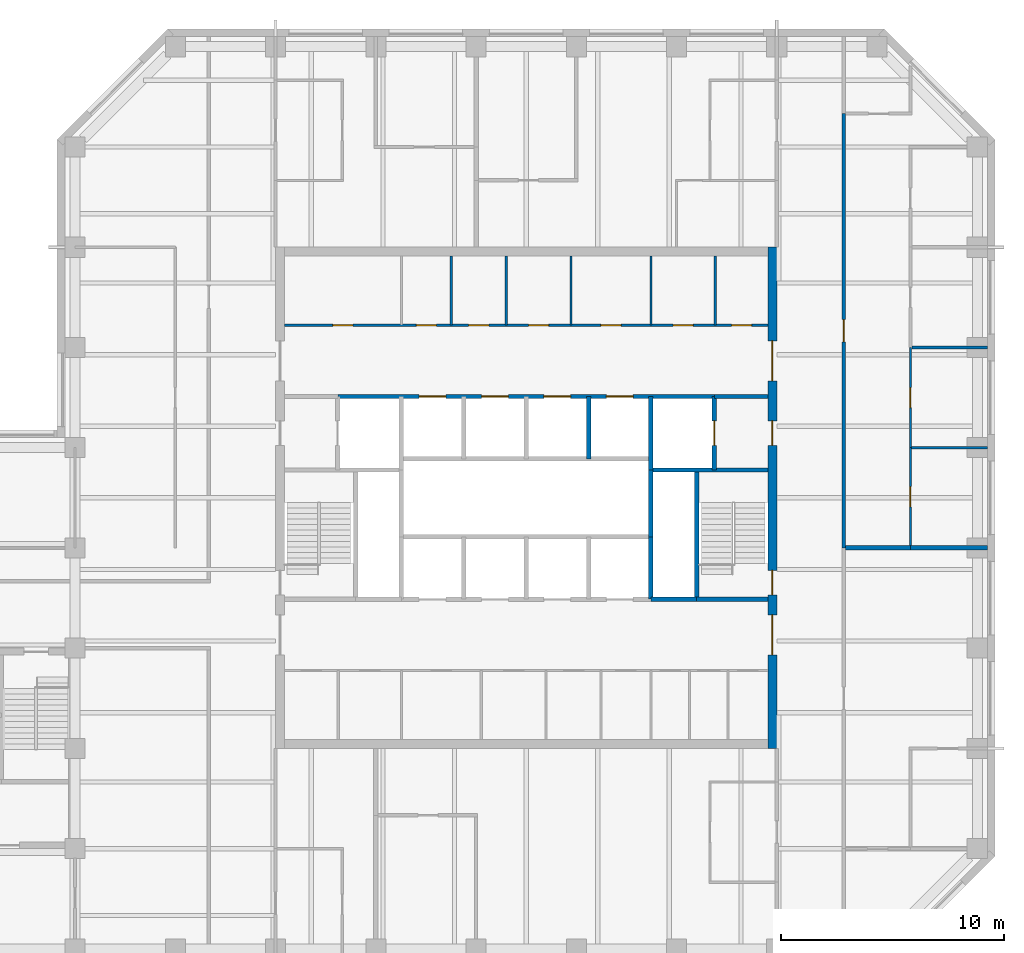
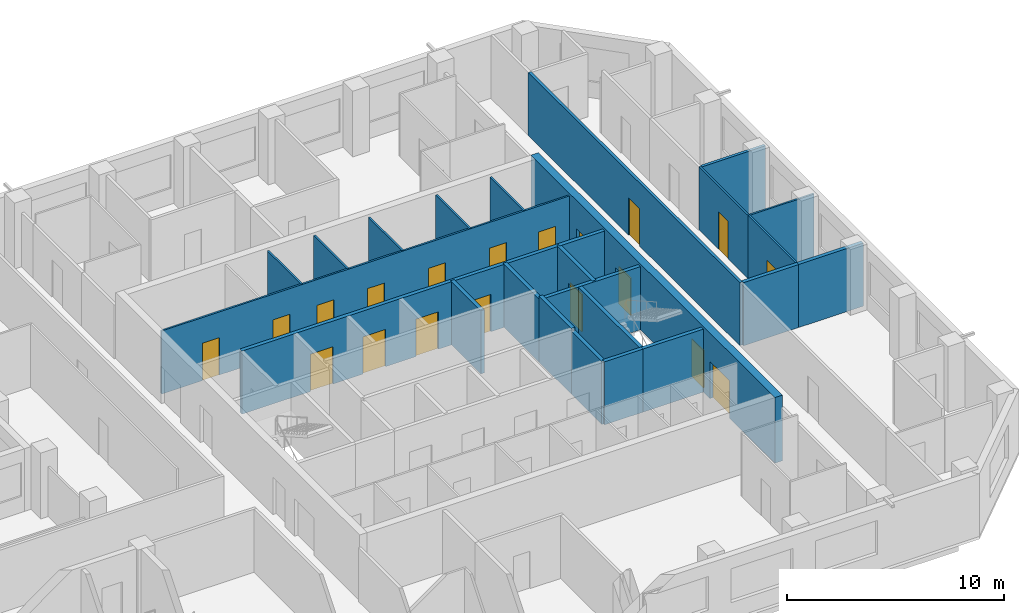
# One storey, part 6 of 9: 25 walls, 19 doors, 19 openings.
"""IFC4 building model written with IfcOpenShell, lengths in metres."""

from ifc_helpers import new_model, si_unit, direction, frame, frame_2d, origin, place, context, subcontext, project, spatial, rectangle, extrude, material, layer, layer_set, type_object, element, fill, save


model = new_model("IFC4")

# Units and contexts
model_context = context("Model", 3, precision=1e-05, world=origin(), true_north=direction((0.0, 1.0)))
body_context = subcontext(model_context, "Body", "Model", "MODEL_VIEW")
ifc_project = project(units=[si_unit("LENGTHUNIT", "METRE"), si_unit("AREAUNIT", "SQUARE_METRE"), si_unit("VOLUMEUNIT", "CUBIC_METRE"), si_unit("PLANEANGLEUNIT", "RADIAN"), si_unit("MASSUNIT", "GRAM", prefix="KILO")], contexts=[model_context])

# Site, building, storey
site_placement = place(None, origin())
site = spatial("IfcSite", under=ifc_project, at=site_placement, CompositionType="ELEMENT")
building_placement = place(site_placement, origin())
building = spatial("IfcBuilding", under=site, at=building_placement, Name="Quoin Convention Tower", CompositionType="ELEMENT")
storey_placement = place(building_placement, frame((0.0, 0.0, 230.39990234375)))
storey = spatial("IfcBuildingStorey", under=building, at=storey_placement, Name="L60", CompositionType="ELEMENT", Elevation=230.39990234375)

# Wall
ifc_material_1 = material(Name="Plasterboard")
ifc_layer_1 = layer(ifc_material_1, 0.012451171875, Name="Finish")
ifc_material_2 = material(Name="Steel stud framing", Category="steel")
ifc_layer_2 = layer(ifc_material_2, 0.125, Name="Structure")
ifc_layer_3 = layer(ifc_material_1, 0.012451171875, Name="Finish")
ifc_layer_set_1 = layer_set([ifc_layer_1, ifc_layer_2, ifc_layer_3], Name="Steel stud framing")
wall_type_1 = type_object("IfcWallType", Name="Acoustic partition 150", PredefinedType="PARTITIONING", material=ifc_layer_set_1)
wall_1_placement = place(storey_placement, frame((73.574951171875, 67.5, 0.0), z_axis=(0.0, 0.0, 1.0), x_axis=(1.0, 0.0, 0.0)))
element("IfcWall", 1, at=wall_1_placement, inside=storey, type_object=wall_type_1, Name="pw-L60-022", PredefinedType="PARTITIONING", context=body_context, shape_type="SweptSolid", body=[
    extrude(rectangle(XDim=3.375, YDim=0.14990234375, at=frame_2d((1.6875, 0.0))), origin(), (0.0, 0.0, 1.0), 3.550048828125),
])

# Wall, openings, doors
ifc_layer_4 = layer(ifc_material_1, 0.012451171875, Name="Finish")
ifc_layer_5 = layer(ifc_material_2, 0.074951171875, Name="Structure")
ifc_layer_6 = layer(ifc_material_1, 0.012451171875, Name="Finish")
ifc_layer_set_2 = layer_set([ifc_layer_4, ifc_layer_5, ifc_layer_6], Name="Steel stud framing")
wall_type_2 = type_object("IfcWallType", Name="Core partition wall", PredefinedType="PARTITIONING", material=ifc_layer_set_2)
wall_2_placement = place(storey_placement, frame((45.39990234375, 68.5, 0.0), z_axis=(0.0, 0.0, 1.0), x_axis=(1.0, 0.0, 0.0)))
wall_2 = element("IfcWall", 2, at=wall_2_placement, inside=storey, type_object=wall_type_2, Name="cr-C1-L60-h19000_400", PredefinedType="PARTITIONING", context=body_context, shape_type="SweptSolid", body=[
    extrude(rectangle(XDim=21.7001953125, YDim=0.10009765625, at=frame_2d((10.85009765625, 0.0))), origin(), (0.0, 0.0, 1.0), 3.550048828125),
])
opening_1_placement = place(wall_2_placement, frame((20.06884765625, 0.0, 0.0)))
opening_1 = element("IfcOpeningElement", 3, at=opening_1_placement, cuts=wall_2, Name="Opening DCV2-13", PredefinedType="OPENING", context=body_context, shape_type="SweptSolid", body=[
    extrude(rectangle(XDim=0.89990234375, YDim=2.10009765625, at=frame_2d((0.449951171875, 1.050048828125))), frame((0.0, 0.06005859375, 0.0), z_axis=(0.0, -1.0, 0.0), x_axis=(1.0, 0.0, 0.0)), (0.0, 0.0, 1.0), 0.1201171875),
])
opening_2_placement = place(wall_2_placement, frame((17.44384765625, 0.0, 0.0)))
opening_2 = element("IfcOpeningElement", 4, at=opening_2_placement, cuts=wall_2, Name="Opening DCV2-12", PredefinedType="OPENING", context=body_context, shape_type="SweptSolid", body=[
    extrude(rectangle(XDim=0.89990234375, YDim=2.10009765625, at=frame_2d((0.449951171875, 1.050048828125))), frame((0.0, 0.06005859375, 0.0), z_axis=(0.0, -1.0, 0.0), x_axis=(1.0, 0.0, 0.0)), (0.0, 0.0, 1.0), 0.1201171875),
])
opening_3_placement = place(wall_2_placement, frame((2.175048828125, 0.0, 0.0)))
opening_3 = element("IfcOpeningElement", 5, at=opening_3_placement, cuts=wall_2, Name="Opening DCV2-05", PredefinedType="OPENING", context=body_context, shape_type="SweptSolid", body=[
    extrude(rectangle(XDim=0.89990234375, YDim=2.10009765625, at=frame_2d((0.449951171875, 1.050048828125))), frame((0.0, 0.06005859375, 0.0), z_axis=(0.0, -1.0, 0.0), x_axis=(1.0, 0.0, 0.0)), (0.0, 0.0, 1.0), 0.1201171875),
])
opening_4_placement = place(wall_2_placement, frame((14.2080078125, 0.0, 0.0)))
opening_4 = element("IfcOpeningElement", 6, at=opening_4_placement, cuts=wall_2, Name="Opening DCV2-11", PredefinedType="OPENING", context=body_context, shape_type="SweptSolid", body=[
    extrude(rectangle(XDim=0.89990234375, YDim=2.10009765625, at=frame_2d((0.449951171875, 1.050048828125))), frame((0.0, 0.06005859375, 0.0), z_axis=(0.0, -1.0, 0.0), x_axis=(1.0, 0.0, 0.0)), (0.0, 0.0, 1.0), 0.1201171875),
])
opening_5_placement = place(wall_2_placement, frame((10.9599609375, 0.0, 0.0)))
opening_5 = element("IfcOpeningElement", 7, at=opening_5_placement, cuts=wall_2, Name="Opening DCV2-09", PredefinedType="OPENING", context=body_context, shape_type="SweptSolid", body=[
    extrude(rectangle(XDim=0.89990234375, YDim=2.10009765625, at=frame_2d((0.449951171875, 1.050048828125))), frame((0.0, 0.06005859375, 0.0), z_axis=(0.0, -1.0, 0.0), x_axis=(1.0, 0.0, 0.0)), (0.0, 0.0, 1.0), 0.1201171875),
])
opening_6_placement = place(wall_2_placement, frame((8.27197265625, 0.0, 0.0)))
opening_6 = element("IfcOpeningElement", 8, at=opening_6_placement, cuts=wall_2, Name="Opening DCV2-08", PredefinedType="OPENING", context=body_context, shape_type="SweptSolid", body=[
    extrude(rectangle(XDim=0.89990234375, YDim=2.10009765625, at=frame_2d((0.449951171875, 1.050048828125))), frame((0.0, 0.06005859375, 0.0), z_axis=(0.0, -1.0, 0.0), x_axis=(1.0, 0.0, 0.0)), (0.0, 0.0, 1.0), 0.1201171875),
])
opening_7_placement = place(wall_2_placement, frame((5.919921875, 0.0, 0.0)))
opening_7 = element("IfcOpeningElement", 9, at=opening_7_placement, cuts=wall_2, Name="Opening DCV2-06", PredefinedType="OPENING", context=body_context, shape_type="SweptSolid", body=[
    extrude(rectangle(XDim=0.89990234375, YDim=2.10009765625, at=frame_2d((0.449951171875, 1.050048828125))), frame((0.0, 0.06005859375, 0.0), z_axis=(0.0, -1.0, 0.0), x_axis=(1.0, 0.0, 0.0)), (0.0, 0.0, 1.0), 0.1201171875),
])
ifc_material_3 = material(Name="Steel door leaf", Category="steel")
door_type_1 = type_object("IfcDoorType", Name="Core room door 900 x 2100", OperationType="SINGLE_SWING_LEFT", PredefinedType="DOOR", material=ifc_material_3)
door_1_placement = place(opening_1_placement, origin())
door_1 = element("IfcDoor", 10, at=door_1_placement, inside=storey, type_object=door_type_1, Name="cd-C1-L60-CNE0-lobB-CD6007", OperationType="SINGLE_SWING_RIGHT", OverallHeight=2.10009765625, OverallWidth=0.89990234375, PredefinedType="DOOR", context=body_context, shape_type="SweptSolid", body=[
    extrude(rectangle(XDim=0.89990234375, YDim=2.10009765625, at=frame_2d((0.449951171875, 1.050048828125))), frame((0.0, 0.02490234375, 0.0), z_axis=(0.0, -1.0, 0.0), x_axis=(1.0, 0.0, 0.0)), (0.0, 0.0, 1.0), 0.050048828125),
])
fill(opening_1, door_1)
door_2_placement = place(opening_2_placement, origin())
door_2 = element("IfcDoor", 11, at=door_2_placement, inside=storey, type_object=door_type_1, Name="cd-C1-L60-CNE1-lobB-CD6008", OperationType="SINGLE_SWING_RIGHT", OverallHeight=2.10009765625, OverallWidth=0.89990234375, PredefinedType="DOOR", context=body_context, shape_type="SweptSolid", body=[
    extrude(rectangle(XDim=0.89990234375, YDim=2.10009765625, at=frame_2d((0.449951171875, 1.050048828125))), frame((0.0, 0.02490234375, 0.0), z_axis=(0.0, -1.0, 0.0), x_axis=(1.0, 0.0, 0.0)), (0.0, 0.0, 1.0), 0.050048828125),
])
fill(opening_2, door_2)
door_3_placement = place(opening_3_placement, origin())
door_3 = element("IfcDoor", 12, at=door_3_placement, inside=storey, type_object=door_type_1, Name="cd-C1-L60-CNW0-lobB-CD6009", OperationType="SINGLE_SWING_RIGHT", OverallHeight=2.10009765625, OverallWidth=0.89990234375, PredefinedType="DOOR", context=body_context, shape_type="SweptSolid", body=[
    extrude(rectangle(XDim=0.89990234375, YDim=2.10009765625, at=frame_2d((0.449951171875, 1.050048828125))), frame((0.0, 0.02490234375, 0.0), z_axis=(0.0, -1.0, 0.0), x_axis=(1.0, 0.0, 0.0)), (0.0, 0.0, 1.0), 0.050048828125),
])
fill(opening_3, door_3)
door_4_placement = place(opening_4_placement, origin())
door_4 = element("IfcDoor", 13, at=door_4_placement, inside=storey, type_object=door_type_1, Name="cd-C1-L60-F40-lobB-CD6019", OperationType="SINGLE_SWING_RIGHT", OverallHeight=2.10009765625, OverallWidth=0.89990234375, PredefinedType="DOOR", context=body_context, shape_type="SweptSolid", body=[
    extrude(rectangle(XDim=0.89990234375, YDim=2.10009765625, at=frame_2d((0.449951171875, 1.050048828125))), frame((0.0, 0.02490234375, 0.0), z_axis=(0.0, -1.0, 0.0), x_axis=(1.0, 0.0, 0.0)), (0.0, 0.0, 1.0), 0.050048828125),
])
fill(opening_4, door_4)
door_5_placement = place(opening_5_placement, origin())
door_5 = element("IfcDoor", 14, at=door_5_placement, inside=storey, type_object=door_type_1, Name="cd-C1-L60-F41-lobB-CD6020", OperationType="SINGLE_SWING_RIGHT", OverallHeight=2.10009765625, OverallWidth=0.89990234375, PredefinedType="DOOR", context=body_context, shape_type="SweptSolid", body=[
    extrude(rectangle(XDim=0.89990234375, YDim=2.10009765625, at=frame_2d((0.449951171875, 1.050048828125))), frame((0.0, 0.02490234375, 0.0), z_axis=(0.0, -1.0, 0.0), x_axis=(1.0, 0.0, 0.0)), (0.0, 0.0, 1.0), 0.050048828125),
])
fill(opening_5, door_5)
door_6_placement = place(opening_6_placement, origin())
door_6 = element("IfcDoor", 15, at=door_6_placement, inside=storey, type_object=door_type_1, Name="cd-C1-L60-F42-lobB-CD6021", OperationType="SINGLE_SWING_RIGHT", OverallHeight=2.10009765625, OverallWidth=0.89990234375, PredefinedType="DOOR", context=body_context, shape_type="SweptSolid", body=[
    extrude(rectangle(XDim=0.89990234375, YDim=2.10009765625, at=frame_2d((0.449951171875, 1.050048828125))), frame((0.0, 0.02490234375, 0.0), z_axis=(0.0, -1.0, 0.0), x_axis=(1.0, 0.0, 0.0)), (0.0, 0.0, 1.0), 0.050048828125),
])
fill(opening_6, door_6)
door_7_placement = place(opening_7_placement, origin())
door_7 = element("IfcDoor", 16, at=door_7_placement, inside=storey, type_object=door_type_1, Name="cd-C1-L60-F43-lobB-CD6022", OperationType="SINGLE_SWING_RIGHT", OverallHeight=2.10009765625, OverallWidth=0.89990234375, PredefinedType="DOOR", context=body_context, shape_type="SweptSolid", body=[
    extrude(rectangle(XDim=0.89990234375, YDim=2.10009765625, at=frame_2d((0.449951171875, 1.050048828125))), frame((0.0, 0.02490234375, 0.0), z_axis=(0.0, -1.0, 0.0), x_axis=(1.0, 0.0, 0.0)), (0.0, 0.0, 1.0), 0.050048828125),
])
fill(opening_7, door_7)

# Walls
for number, where, z_axis, x_axis, name in (
    (17, (52.889892578125, 68.5, 0.0), (0.0, 0.0, 1.0), (0.0, 1.0, 0.0), "cr-C1-L60-v7890_19000"),
    (18, (55.35400390625, 68.5, 0.0), (0.0, 0.0, 1.0), (0.0, 1.0, 0.0), "cr-C1-L60-v10354_19000"),
    (19, (58.26611328125, 68.5, 0.0), (0.0, 0.0, 1.0), (0.0, 1.0, 0.0), "cr-C1-L60-v13266_19000"),
    (20, (61.85009765625, 68.5, 0.0), (0.0, 0.0, 1.0), (0.0, 1.0, 0.0), "cr-C1-L60-v16850_19000"),
    (21, (64.737548828125, 68.5, 0.0), (0.0, 0.0, 1.0), (0.0, 1.0, 0.0), "cr-C1-L60-v19738_19000"),
):
    element("IfcWall", number, at=place(storey_placement, frame(where, z_axis=z_axis, x_axis=x_axis)), inside=storey, type_object=wall_type_2, Name=name, PredefinedType="PARTITIONING", context=body_context, shape_type="SweptSolid", body=[
        extrude(rectangle(XDim=3.10009765625, YDim=0.10009765625, at=frame_2d((1.550048828125, 0.0))), origin(), (0.0, 0.0, 1.0), 3.550048828125),
    ])
ifc_material_4 = material(Name="Concrete C50", Category="concrete")
ifc_layer_7 = layer(ifc_material_4, 0.199951171875)
ifc_layer_set_3 = layer_set([ifc_layer_7], Name="Concrete C50")
wall_type_3 = type_object("IfcWallType", Name="Core shaft wall", PredefinedType="SOLIDWALL", material=ifc_layer_set_3)
wall_3_placement = place(storey_placement, frame((61.85009765625, 56.199951171875, 0.0), z_axis=(0.0, 0.0, 1.0), x_axis=(1.0, 0.0, 0.0)))
element("IfcWall", 22, at=wall_3_placement, inside=storey, type_object=wall_type_3, Name="cr-C1-L60-h6700_16850", PredefinedType="SOLIDWALL", context=body_context, shape_type="SweptSolid", body=[
    extrude(rectangle(XDim=2.0498046875, YDim=0.199951171875, at=frame_2d((1.02490234375, 0.0))), origin(), (0.0, 0.0, 1.0), 3.550048828125),
])
wall_4_placement = place(storey_placement, frame((63.89990234375, 56.199951171875, 0.0), z_axis=(0.0, 0.0, 1.0), x_axis=(1.0, 0.0, 0.0)))
element("IfcWall", 23, at=wall_4_placement, inside=storey, type_object=wall_type_3, Name="cr-C1-L60-h6700_18900", PredefinedType="SOLIDWALL", context=body_context, shape_type="SweptSolid", body=[
    extrude(rectangle(XDim=3.2001953125, YDim=0.199951171875, at=frame_2d((1.60009765625, 0.0))), origin(), (0.0, 0.0, 1.0), 3.550048828125),
])
wall_5_placement = place(storey_placement, frame((61.85009765625, 62.0, 0.0), z_axis=(0.0, 0.0, 1.0), x_axis=(1.0, 0.0, 0.0)))
element("IfcWall", 24, at=wall_5_placement, inside=storey, type_object=wall_type_3, Name="cr-C1-L60-h12500_16850", PredefinedType="SOLIDWALL", context=body_context, shape_type="SweptSolid", body=[
    extrude(rectangle(XDim=5.25, YDim=0.199951171875, at=frame_2d((2.625, 0.0))), origin(), (0.0, 0.0, 1.0), 3.550048828125),
])
wall_6_placement = place(storey_placement, frame((64.699951171875, 65.300048828125, 0.0), z_axis=(0.0, 0.0, 1.0), x_axis=(1.0, 0.0, 0.0)))
element("IfcWall", 25, at=wall_6_placement, inside=storey, type_object=wall_type_3, Name="cr-C1-L60-h15800_19700", PredefinedType="SOLIDWALL", context=body_context, shape_type="SweptSolid", body=[
    extrude(rectangle(XDim=2.400146484375, YDim=0.199951171875, at=frame_2d((1.2001953125, 0.0))), origin(), (0.0, 0.0, 1.0), 3.550048828125),
])

# Wall, openings, doors
wall_7_placement = place(storey_placement, frame((47.800048828125, 65.300048828125, 0.0), z_axis=(0.0, 0.0, 1.0), x_axis=(1.0, 0.0, 0.0)))
wall_7 = element("IfcWall", 26, at=wall_7_placement, inside=storey, type_object=wall_type_3, Name="cr-C1-L60-h15800_2800", PredefinedType="SOLIDWALL", context=body_context, shape_type="SweptSolid", body=[
    extrude(rectangle(XDim=16.89990234375, YDim=0.199951171875, at=frame_2d((8.449951171875, 0.0))), origin(), (0.0, 0.0, 1.0), 3.550048828125),
])
opening_8_placement = place(wall_7_placement, frame((3.64990234375, 0.0, 0.0)))
opening_8 = element("IfcOpeningElement", 27, at=opening_8_placement, cuts=wall_7, Name="Opening LDH5", PredefinedType="OPENING", context=body_context, shape_type="SweptSolid", body=[
    extrude(rectangle(XDim=1.199951171875, YDim=2.10009765625, at=frame_2d((0.60009765625, 1.050048828125))), frame((0.0, 0.10986328125, 0.0), z_axis=(0.0, -1.0, 0.0), x_axis=(1.0, 0.0, 0.0)), (0.0, 0.0, 1.0), 0.219970703125),
])
opening_9_placement = place(wall_7_placement, frame((6.449951171875, 0.0, 0.0)))
opening_9 = element("IfcOpeningElement", 28, at=opening_9_placement, cuts=wall_7, Name="Opening LDH6", PredefinedType="OPENING", context=body_context, shape_type="SweptSolid", body=[
    extrude(rectangle(XDim=1.199951171875, YDim=2.10009765625, at=frame_2d((0.60009765625, 1.050048828125))), frame((0.0, 0.10986328125, 0.0), z_axis=(0.0, -1.0, 0.0), x_axis=(1.0, 0.0, 0.0)), (0.0, 0.0, 1.0), 0.219970703125),
])
opening_10_placement = place(wall_7_placement, frame((9.25, 0.0, 0.0)))
opening_10 = element("IfcOpeningElement", 29, at=opening_10_placement, cuts=wall_7, Name="Opening LDH7", PredefinedType="OPENING", context=body_context, shape_type="SweptSolid", body=[
    extrude(rectangle(XDim=1.199951171875, YDim=2.10009765625, at=frame_2d((0.60009765625, 1.050048828125))), frame((0.0, 0.10986328125, 0.0), z_axis=(0.0, -1.0, 0.0), x_axis=(1.0, 0.0, 0.0)), (0.0, 0.0, 1.0), 0.219970703125),
])
opening_11_placement = place(wall_7_placement, frame((12.050048828125, 0.0, 0.0)))
opening_11 = element("IfcOpeningElement", 30, at=opening_11_placement, cuts=wall_7, Name="Opening LDH8", PredefinedType="OPENING", context=body_context, shape_type="SweptSolid", body=[
    extrude(rectangle(XDim=1.199951171875, YDim=2.10009765625, at=frame_2d((0.60009765625, 1.050048828125))), frame((0.0, 0.10986328125, 0.0), z_axis=(0.0, -1.0, 0.0), x_axis=(1.0, 0.0, 0.0)), (0.0, 0.0, 1.0), 0.219970703125),
])
door_type_2 = type_object("IfcDoorType", Name="Lift landing door 1200 x 2100", OperationType="DOUBLE_DOOR_SLIDING", PredefinedType="DOOR", material=ifc_material_3)
door_8_placement = place(opening_8_placement, origin())
door_8 = element("IfcDoor", 31, at=door_8_placement, inside=storey, type_object=door_type_2, Name="cd-C1-L60-R30-lobB-LDH5", OperationType="DOUBLE_DOOR_SLIDING", OverallHeight=2.10009765625, OverallWidth=1.199951171875, PredefinedType="DOOR", context=body_context, shape_type="SweptSolid", body=[
    extrude(rectangle(XDim=1.199951171875, YDim=2.10009765625, at=frame_2d((0.60009765625, 1.050048828125))), frame((0.0, 0.02490234375, 0.0), z_axis=(0.0, -1.0, 0.0), x_axis=(1.0, 0.0, 0.0)), (0.0, 0.0, 1.0), 0.050048828125),
])
fill(opening_8, door_8)
door_9_placement = place(opening_9_placement, origin())
door_9 = element("IfcDoor", 32, at=door_9_placement, inside=storey, type_object=door_type_2, Name="cd-C1-L60-R31-lobB-LDH6", OperationType="DOUBLE_DOOR_SLIDING", OverallHeight=2.10009765625, OverallWidth=1.199951171875, PredefinedType="DOOR", context=body_context, shape_type="SweptSolid", body=[
    extrude(rectangle(XDim=1.199951171875, YDim=2.10009765625, at=frame_2d((0.60009765625, 1.050048828125))), frame((0.0, 0.02490234375, 0.0), z_axis=(0.0, -1.0, 0.0), x_axis=(1.0, 0.0, 0.0)), (0.0, 0.0, 1.0), 0.050048828125),
])
fill(opening_9, door_9)
door_10_placement = place(opening_10_placement, origin())
door_10 = element("IfcDoor", 33, at=door_10_placement, inside=storey, type_object=door_type_2, Name="cd-C1-L60-R32-lobB-LDH7", OperationType="DOUBLE_DOOR_SLIDING", OverallHeight=2.10009765625, OverallWidth=1.199951171875, PredefinedType="DOOR", context=body_context, shape_type="SweptSolid", body=[
    extrude(rectangle(XDim=1.199951171875, YDim=2.10009765625, at=frame_2d((0.60009765625, 1.050048828125))), frame((0.0, 0.02490234375, 0.0), z_axis=(0.0, -1.0, 0.0), x_axis=(1.0, 0.0, 0.0)), (0.0, 0.0, 1.0), 0.050048828125),
])
fill(opening_10, door_10)
door_11_placement = place(opening_11_placement, origin())
door_11 = element("IfcDoor", 34, at=door_11_placement, inside=storey, type_object=door_type_2, Name="cd-C1-L60-R33-lobB-LDH8", OperationType="DOUBLE_DOOR_SLIDING", OverallHeight=2.10009765625, OverallWidth=1.199951171875, PredefinedType="DOOR", context=body_context, shape_type="SweptSolid", body=[
    extrude(rectangle(XDim=1.199951171875, YDim=2.10009765625, at=frame_2d((0.60009765625, 1.050048828125))), frame((0.0, 0.02490234375, 0.0), z_axis=(0.0, -1.0, 0.0), x_axis=(1.0, 0.0, 0.0)), (0.0, 0.0, 1.0), 0.050048828125),
])
fill(opening_11, door_11)

# Walls
for number, where, z_axis, x_axis, name in (
    (35, (59.050048828125, 62.5, 0.0), (0.0, 0.0, 1.0), (0.0, 1.0, 0.0), "cr-C1-L60-v14050_13000"),
    (36, (61.85009765625, 56.199951171875, 0.0), (0.0, 0.0, 1.0), (0.0, 1.0, 0.0), "cr-C1-L60-v16850_6700"),
):
    element("IfcWall", number, at=place(storey_placement, frame(where, z_axis=z_axis, x_axis=x_axis)), inside=storey, type_object=wall_type_3, Name=name, PredefinedType="SOLIDWALL", context=body_context, shape_type="SweptSolid", body=[
        extrude(rectangle(XDim=2.800048828125, YDim=0.199951171875, at=frame_2d((1.39990234375, 0.0))), origin(), (0.0, 0.0, 1.0), 3.550048828125),
    ])
wall_8_placement = place(storey_placement, frame((61.85009765625, 62.0, 0.0), z_axis=(0.0, 0.0, 1.0), x_axis=(0.0, 1.0, 0.0)))
element("IfcWall", 37, at=wall_8_placement, inside=storey, type_object=wall_type_3, Name="cr-C1-L60-v16850_12500", PredefinedType="SOLIDWALL", context=body_context, shape_type="SweptSolid", body=[
    extrude(rectangle(XDim=3.300048828125, YDim=0.199951171875, at=frame_2d((1.64990234375, 0.0))), origin(), (0.0, 0.0, 1.0), 3.550048828125),
])
wall_9_placement = place(storey_placement, frame((63.89990234375, 56.199951171875, 0.0), z_axis=(0.0, 0.0, 1.0), x_axis=(0.0, 1.0, 0.0)))
element("IfcWall", 38, at=wall_9_placement, inside=storey, type_object=wall_type_3, Name="cr-C1-L60-v18900_6700", PredefinedType="SOLIDWALL", context=body_context, shape_type="SweptSolid", body=[
    extrude(rectangle(XDim=5.800048828125, YDim=0.199951171875, at=frame_2d((2.89990234375, 0.0))), origin(), (0.0, 0.0, 1.0), 3.550048828125),
])

# Wall, opening, door
wall_10_placement = place(storey_placement, frame((64.699951171875, 62.0, 0.0), z_axis=(0.0, 0.0, 1.0), x_axis=(0.0, 1.0, 0.0)))
wall_10 = element("IfcWall", 39, at=wall_10_placement, inside=storey, type_object=wall_type_3, Name="cr-C1-L60-v19700_12500", PredefinedType="SOLIDWALL", context=body_context, shape_type="SweptSolid", body=[
    extrude(rectangle(XDim=3.300048828125, YDim=0.199951171875, at=frame_2d((1.64990234375, 0.0))), origin(), (0.0, 0.0, 1.0), 3.550048828125),
])
opening_12_placement = place(wall_10_placement, frame((1.10009765625, 0.0, 0.0)))
opening_12 = element("IfcOpeningElement", 40, at=opening_12_placement, cuts=wall_10, Name="Opening LDFL2", PredefinedType="OPENING", context=body_context, shape_type="SweptSolid", body=[
    extrude(rectangle(XDim=1.10009765625, YDim=2.10009765625, at=frame_2d((0.550048828125, 1.050048828125))), frame((0.0, 0.10986328125, 0.0), z_axis=(0.0, -1.0, 0.0), x_axis=(1.0, 0.0, 0.0)), (0.0, 0.0, 1.0), 0.219970703125),
])
door_type_3 = type_object("IfcDoorType", Name="Lift landing door 1100 x 2100", OperationType="DOUBLE_DOOR_SLIDING", PredefinedType="DOOR", material=ifc_material_3)
door_12_placement = place(opening_12_placement, origin())
door_12 = element("IfcDoor", 41, at=door_12_placement, inside=storey, type_object=door_type_3, Name="cd-C1-L60-FLE-FFE-LDFL2", OperationType="DOUBLE_DOOR_SLIDING", OverallHeight=2.10009765625, OverallWidth=1.10009765625, PredefinedType="DOOR", context=body_context, shape_type="SweptSolid", body=[
    extrude(rectangle(XDim=1.10009765625, YDim=2.10009765625, at=frame_2d((0.550048828125, 1.050048828125))), frame((0.0, 0.02490234375, 0.0), z_axis=(0.0, -1.0, 0.0), x_axis=(1.0, 0.0, 0.0)), (0.0, 0.0, 1.0), 0.050048828125),
])
fill(opening_12, door_12)

# Wall
ifc_layer_8 = layer(ifc_material_4, 0.199951171875)
ifc_layer_set_4 = layer_set([ifc_layer_8], Name="Concrete C50")
wall_type_4 = type_object("IfcWallType", Name="Core shaft wall to the floor level over", PredefinedType="SOLIDWALL", material=ifc_layer_set_4)
wall_11_placement = place(storey_placement, frame((61.85009765625, 59.0, 0.0), z_axis=(0.0, 0.0, 1.0), x_axis=(0.0, 1.0, 0.0)))
element("IfcWall", 42, at=wall_11_placement, inside=storey, type_object=wall_type_4, Name="cr-C1-L60-v16850_9500", PredefinedType="SOLIDWALL", context=body_context, shape_type="SweptSolid", body=[
    extrude(rectangle(XDim=3.0, YDim=0.199951171875, at=frame_2d((1.5, 0.0))), origin(), (0.0, 0.0, 1.0), 3.7001953125),
])

# Wall, opening, door
ifc_layer_9 = layer(ifc_material_1, 0.012451171875, Name="Finish")
ifc_layer_10 = layer(ifc_material_2, 0.125, Name="Structure")
ifc_layer_11 = layer(ifc_material_1, 0.012451171875, Name="Finish")
ifc_layer_set_5 = layer_set([ifc_layer_9, ifc_layer_10, ifc_layer_11], Name="Steel stud framing")
wall_type_5 = type_object("IfcWallType", Name="Corridor wall 150", PredefinedType="PARTITIONING", material=ifc_layer_set_5)
wall_12_placement = place(storey_placement, frame((70.5, 58.5, 0.0), z_axis=(0.0, 0.0, 1.0), x_axis=(0.0, 1.0, 0.0)))
wall_12 = element("IfcWall", 43, at=wall_12_placement, inside=storey, type_object=wall_type_5, Name="pw-L60-058", PredefinedType="PARTITIONING", context=body_context, shape_type="SweptSolid", body=[
    extrude(rectangle(XDim=19.5, YDim=0.14990234375, at=frame_2d((9.75, 0.0))), origin(), (0.0, 0.0, 1.0), 3.550048828125),
])
opening_13_placement = place(wall_12_placement, frame((9.25, 0.0, 0.0)))
opening_13 = element("IfcOpeningElement", 44, at=opening_13_placement, cuts=wall_12, Name="Opening DOH10-15", PredefinedType="OPENING", context=body_context, shape_type="SweptSolid", body=[
    extrude(rectangle(XDim=1.0, YDim=2.10009765625, at=frame_2d((0.5, 1.050048828125))), frame((0.0, 0.0849609375, 0.0), z_axis=(0.0, -1.0, 0.0), x_axis=(1.0, 0.0, 0.0)), (0.0, 0.0, 1.0), 0.169921875),
])
door_type_4 = type_object("IfcDoorType", Name="Tenancy entrance door 1000 x 2100", OperationType="DOUBLE_DOOR_SINGLE_SWING", PredefinedType="DOOR", material=ifc_material_3)
door_13_placement = place(opening_13_placement, frame((1.0, 0.0, 0.0), z_axis=(0.0, 0.0, 1.0), x_axis=(-1.0, 0.0, 0.0)))
door_13 = element("IfcDoor", 45, at=door_13_placement, inside=storey, type_object=door_type_4, Name="dr-L60-25", OperationType="DOUBLE_DOOR_SINGLE_SWING", OverallHeight=2.10009765625, OverallWidth=1.0, PredefinedType="DOOR", context=body_context, shape_type="SweptSolid", body=[
    extrude(rectangle(XDim=1.0, YDim=2.10009765625, at=frame_2d((0.5, 1.050048828125))), frame((0.0, 0.02490234375, 0.0), z_axis=(0.0, -1.0, 0.0), x_axis=(1.0, 0.0, 0.0)), (0.0, 0.0, 1.0), 0.050048828125),
])
fill(opening_13, door_13)

# Wall, openings, doors
ifc_layer_12 = layer(ifc_material_4, 0.39990234375)
ifc_layer_set_6 = layer_set([ifc_layer_12], Name="Concrete C50")
wall_type_6 = type_object("IfcWallType", Name="RC CORE WALL 400 C50", PredefinedType="SHEAR", material=ifc_layer_set_6)
wall_13_placement = place(storey_placement, frame((67.300048828125, 49.5, 0.0), z_axis=(0.0, 0.0, 1.0), x_axis=(0.0, 1.0, 0.0)))
wall_13 = element("IfcWall", 46, at=wall_13_placement, inside=storey, type_object=wall_type_6, Name="cwl-C1-L60-E", PredefinedType="SHEAR", context=body_context, shape_type="SweptSolid", body=[
    extrude(rectangle(XDim=22.5, YDim=0.39990234375, at=frame_2d((11.25, 0.0))), origin(), (0.0, 0.0, 1.0), 3.7001953125),
])
opening_14_placement = place(wall_13_placement, frame((4.199951171875, 0.0, 0.0)))
opening_14 = element("IfcOpeningElement", 47, at=opening_14_placement, cuts=wall_13, Name="Opening DCV2-38", PredefinedType="OPENING", context=body_context, shape_type="SweptSolid", body=[
    extrude(rectangle(XDim=1.800048828125, YDim=2.10009765625, at=frame_2d((0.89990234375, 1.050048828125))), frame((0.0, 0.2099609375, 0.0), z_axis=(0.0, -1.0, 0.0), x_axis=(1.0, 0.0, 0.0)), (0.0, 0.0, 1.0), 0.419921875),
])
opening_15_placement = place(wall_13_placement, frame((6.89990234375, 0.0, 0.0)))
opening_15 = element("IfcOpeningElement", 48, at=opening_15_placement, cuts=wall_13, Name="Opening SD2", PredefinedType="OPENING", context=body_context, shape_type="SweptSolid", body=[
    extrude(rectangle(XDim=1.10009765625, YDim=2.10009765625, at=frame_2d((0.550048828125, 1.050048828125))), frame((0.0, 0.2099609375, 0.0), z_axis=(0.0, -1.0, 0.0), x_axis=(1.0, 0.0, 0.0)), (0.0, 0.0, 1.0), 0.419921875),
])
opening_16_placement = place(wall_13_placement, frame((13.60009765625, 0.0, 0.0)))
opening_16 = element("IfcOpeningElement", 49, at=opening_16_placement, cuts=wall_13, Name="Opening DCV2-37", PredefinedType="OPENING", context=body_context, shape_type="SweptSolid", body=[
    extrude(rectangle(XDim=1.10009765625, YDim=2.10009765625, at=frame_2d((0.550048828125, 1.050048828125))), frame((0.0, 0.2099609375, 0.0), z_axis=(0.0, -1.0, 0.0), x_axis=(1.0, 0.0, 0.0)), (0.0, 0.0, 1.0), 0.419921875),
])
opening_17_placement = place(wall_13_placement, frame((16.5, 0.0, 0.0)))
opening_17 = element("IfcOpeningElement", 50, at=opening_17_placement, cuts=wall_13, Name="Opening DCV2-38", PredefinedType="OPENING", context=body_context, shape_type="SweptSolid", body=[
    extrude(rectangle(XDim=1.800048828125, YDim=2.10009765625, at=frame_2d((0.89990234375, 1.050048828125))), frame((0.0, 0.2099609375, 0.0), z_axis=(0.0, -1.0, 0.0), x_axis=(1.0, 0.0, 0.0)), (0.0, 0.0, 1.0), 0.419921875),
])
door_type_5 = type_object("IfcDoorType", Name="Fire-fighting lobby door 1100 x 2100", OperationType="SINGLE_SWING_LEFT", PredefinedType="DOOR", material=ifc_material_3)
door_14_placement = place(opening_16_placement, origin())
door_14 = element("IfcDoor", 51, at=door_14_placement, inside=storey, type_object=door_type_5, Name="cd-C1-L60-FFE-E", OperationType="SINGLE_SWING_RIGHT", OverallHeight=2.10009765625, OverallWidth=1.10009765625, PredefinedType="DOOR", context=body_context, shape_type="SweptSolid", body=[
    extrude(rectangle(XDim=1.10009765625, YDim=2.10009765625, at=frame_2d((0.550048828125, 1.050048828125))), frame((0.0, 0.02490234375, 0.0), z_axis=(0.0, -1.0, 0.0), x_axis=(1.0, 0.0, 0.0)), (0.0, 0.0, 1.0), 0.050048828125),
])
fill(opening_16, door_14)
door_type_6 = type_object("IfcDoorType", Name="Lift lobby door 1800 x 2100", OperationType="SINGLE_SWING_LEFT", PredefinedType="DOOR", material=ifc_material_3)
door_15_placement = place(opening_14_placement, origin())
door_15 = element("IfcDoor", 52, at=door_15_placement, inside=storey, type_object=door_type_6, Name="cd-C1-L60-lobA-E", OperationType="SINGLE_SWING_RIGHT", OverallHeight=2.10009765625, OverallWidth=1.800048828125, PredefinedType="DOOR", context=body_context, shape_type="SweptSolid", body=[
    extrude(rectangle(XDim=1.800048828125, YDim=2.10009765625, at=frame_2d((0.89990234375, 1.050048828125))), frame((0.0, 0.02490234375, 0.0), z_axis=(0.0, -1.0, 0.0), x_axis=(1.0, 0.0, 0.0)), (0.0, 0.0, 1.0), 0.050048828125),
])
fill(opening_14, door_15)
door_16_placement = place(opening_17_placement, origin())
door_16 = element("IfcDoor", 53, at=door_16_placement, inside=storey, type_object=door_type_6, Name="cd-C1-L60-lobB-E", OperationType="SINGLE_SWING_RIGHT", OverallHeight=2.10009765625, OverallWidth=1.800048828125, PredefinedType="DOOR", context=body_context, shape_type="SweptSolid", body=[
    extrude(rectangle(XDim=1.800048828125, YDim=2.10009765625, at=frame_2d((0.89990234375, 1.050048828125))), frame((0.0, 0.02490234375, 0.0), z_axis=(0.0, -1.0, 0.0), x_axis=(1.0, 0.0, 0.0)), (0.0, 0.0, 1.0), 0.050048828125),
])
fill(opening_17, door_16)
door_type_7 = type_object("IfcDoorType", Name="Stair door 1100 x 2100", OperationType="SINGLE_SWING_RIGHT", PredefinedType="DOOR", material=ifc_material_3)
door_17_placement = place(opening_15_placement, origin())
door_17 = element("IfcDoor", 54, at=door_17_placement, inside=storey, type_object=door_type_7, Name="cd-C1-L60-STE-E", OperationType="SINGLE_SWING_LEFT", OverallHeight=2.10009765625, OverallWidth=1.10009765625, PredefinedType="DOOR", context=body_context, shape_type="SweptSolid", body=[
    extrude(rectangle(XDim=1.10009765625, YDim=2.10009765625, at=frame_2d((0.550048828125, 1.050048828125))), frame((0.0, 0.02490234375, 0.0), z_axis=(0.0, -1.0, 0.0), x_axis=(1.0, 0.0, 0.0)), (0.0, 0.0, 1.0), 0.050048828125),
])
fill(opening_15, door_17)

# Wall
ifc_layer_13 = layer(ifc_material_1, 0.012451171875, Name="Finish")
ifc_layer_14 = layer(ifc_material_2, 0.074951171875, Name="Structure")
ifc_layer_15 = layer(ifc_material_1, 0.012451171875, Name="Finish")
ifc_layer_set_7 = layer_set([ifc_layer_13, ifc_layer_14, ifc_layer_15], Name="Steel stud framing")
wall_type_7 = type_object("IfcWallType", Name="Stud partition 100", PredefinedType="PARTITIONING", material=ifc_layer_set_7)
wall_14_placement = place(storey_placement, frame((73.550048828125, 63.0, 0.0), z_axis=(0.0, 0.0, 1.0), x_axis=(1.0, 0.0, 0.0)))
element("IfcWall", 55, at=wall_14_placement, inside=storey, type_object=wall_type_7, Name="pw-L60-020", PredefinedType="PARTITIONING", context=body_context, shape_type="SweptSolid", body=[
    extrude(rectangle(XDim=3.39990234375, YDim=0.10009765625, at=frame_2d((1.699951171875, 0.0))), origin(), (0.0, 0.0, 1.0), 3.550048828125),
])

# Wall, opening, door
wall_15_placement = place(storey_placement, frame((73.5, 58.60009765625, 0.0), z_axis=(0.0, 0.0, 1.0), x_axis=(0.0, 1.0, 0.0)))
wall_15 = element("IfcWall", 56, at=wall_15_placement, inside=storey, type_object=wall_type_7, Name="pw-L60-060", PredefinedType="PARTITIONING", context=body_context, shape_type="SweptSolid", body=[
    extrude(rectangle(XDim=4.39990234375, YDim=0.10009765625, at=frame_2d((2.199951171875, 0.0))), origin(), (0.0, 0.0, 1.0), 3.550048828125),
])
opening_18_placement = place(wall_15_placement, frame((1.75, 0.0, 0.0)))
opening_18 = element("IfcOpeningElement", 57, at=opening_18_placement, cuts=wall_15, Name="Opening DOH10-16", PredefinedType="OPENING", context=body_context, shape_type="SweptSolid", body=[
    extrude(rectangle(XDim=0.89990234375, YDim=2.10009765625, at=frame_2d((0.449951171875, 1.050048828125))), frame((0.0, 0.06005859375, 0.0), z_axis=(0.0, -1.0, 0.0), x_axis=(1.0, 0.0, 0.0)), (0.0, 0.0, 1.0), 0.1201171875),
])
door_type_8 = type_object("IfcDoorType", Name="Office door 900 x 2100", OperationType="SINGLE_SWING_RIGHT", PredefinedType="DOOR", material=ifc_material_3)
door_18_placement = place(opening_18_placement, origin())
door_18 = element("IfcDoor", 58, at=door_18_placement, inside=storey, type_object=door_type_8, Name="dr-L60-26", OperationType="SINGLE_SWING_RIGHT", OverallHeight=2.10009765625, OverallWidth=0.89990234375, PredefinedType="DOOR", context=body_context, shape_type="SweptSolid", body=[
    extrude(rectangle(XDim=0.89990234375, YDim=2.10009765625, at=frame_2d((0.449951171875, 1.050048828125))), frame((0.0, 0.02490234375, 0.0), z_axis=(0.0, -1.0, 0.0), x_axis=(1.0, 0.0, 0.0)), (0.0, 0.0, 1.0), 0.050048828125),
])
fill(opening_18, door_18)

wall_16_placement = place(storey_placement, frame((73.5, 63.0, 0.0), z_axis=(0.0, 0.0, 1.0), x_axis=(0.0, 1.0, 0.0)))
wall_16 = element("IfcWall", 59, at=wall_16_placement, inside=storey, type_object=wall_type_7, Name="pw-L60-064", PredefinedType="PARTITIONING", context=body_context, shape_type="SweptSolid", body=[
    extrude(rectangle(XDim=4.5, YDim=0.10009765625, at=frame_2d((2.25, 0.0))), origin(), (0.0, 0.0, 1.0), 3.550048828125),
])
opening_19_placement = place(wall_16_placement, frame((1.800048828125, 0.0, 0.0)))
opening_19 = element("IfcOpeningElement", 60, at=opening_19_placement, cuts=wall_16, Name="Opening DOH10-17", PredefinedType="OPENING", context=body_context, shape_type="SweptSolid", body=[
    extrude(rectangle(XDim=0.89990234375, YDim=2.10009765625, at=frame_2d((0.449951171875, 1.050048828125))), frame((0.0, 0.06005859375, 0.0), z_axis=(0.0, -1.0, 0.0), x_axis=(1.0, 0.0, 0.0)), (0.0, 0.0, 1.0), 0.1201171875),
])
door_19_placement = place(opening_19_placement, origin())
door_19 = element("IfcDoor", 61, at=door_19_placement, inside=storey, type_object=door_type_8, Name="dr-L60-27", OperationType="SINGLE_SWING_RIGHT", OverallHeight=2.10009765625, OverallWidth=0.89990234375, PredefinedType="DOOR", context=body_context, shape_type="SweptSolid", body=[
    extrude(rectangle(XDim=0.89990234375, YDim=2.10009765625, at=frame_2d((0.449951171875, 1.050048828125))), frame((0.0, 0.02490234375, 0.0), z_axis=(0.0, -1.0, 0.0), x_axis=(1.0, 0.0, 0.0)), (0.0, 0.0, 1.0), 0.050048828125),
])
fill(opening_19, door_19)

# Walls
ifc_layer_16 = layer(ifc_material_1, 0.012451171875, Name="Finish")
ifc_layer_17 = layer(ifc_material_2, 0.175048828125, Name="Structure")
ifc_layer_18 = layer(ifc_material_1, 0.012451171875, Name="Finish")
ifc_layer_set_8 = layer_set([ifc_layer_16, ifc_layer_17, ifc_layer_18], Name="Steel stud framing")
wall_type_8 = type_object("IfcWallType", Name="Tenancy demising wall 200", PredefinedType="PARTITIONING", material=ifc_layer_set_8)
wall_17_placement = place(storey_placement, frame((70.574951171875, 58.5, 0.0), z_axis=(0.0, 0.0, 1.0), x_axis=(1.0, 0.0, 0.0)))
element("IfcWall", 62, at=wall_17_placement, inside=storey, type_object=wall_type_8, Name="pw-L60-017", PredefinedType="PARTITIONING", context=body_context, shape_type="SweptSolid", body=[
    extrude(rectangle(XDim=2.925048828125, YDim=0.199951171875, at=frame_2d((1.46240234375, 0.0))), origin(), (0.0, 0.0, 1.0), 3.550048828125),
])
wall_18_placement = place(storey_placement, frame((73.5, 58.5, 0.0), z_axis=(0.0, 0.0, 1.0), x_axis=(1.0, 0.0, 0.0)))
element("IfcWall", 63, at=wall_18_placement, inside=storey, type_object=wall_type_8, Name="pw-L60-018", PredefinedType="PARTITIONING", context=body_context, shape_type="SweptSolid", body=[
    extrude(rectangle(XDim=3.449951171875, YDim=0.199951171875, at=frame_2d((1.72509765625, 0.0))), origin(), (0.0, 0.0, 1.0), 3.550048828125),
])

save(model, "model.ifc")
